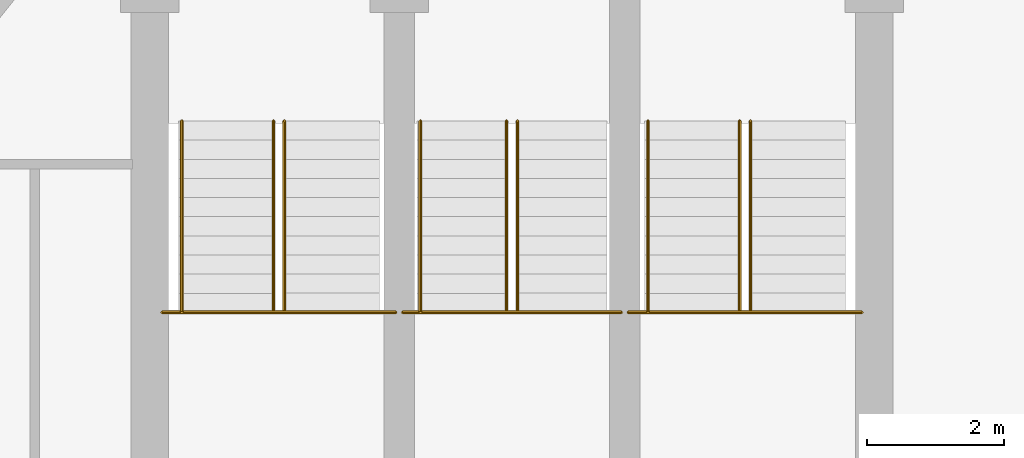
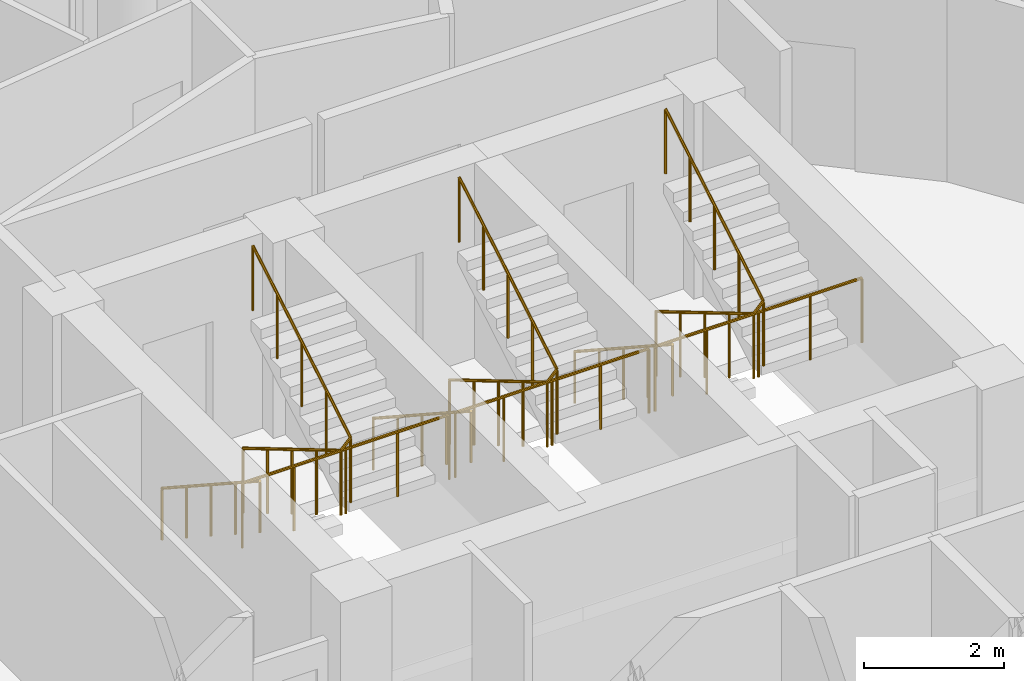
# One storey, part 27 of 27: 9 railings.
"""IFC4 building model written with IfcOpenShell, lengths in metres."""

from ifc_helpers import new_model, si_unit, direction, frame, origin, place, context, subcontext, project, spatial, polyline, outline, extrude, material, type_object, element, save


model = new_model("IFC4")

# Units and contexts
model_context = context("Model", 3, precision=1e-05, world=origin(), true_north=direction((0.0, 1.0)))
body_context = subcontext(model_context, "Body", "Model", "MODEL_VIEW")
ifc_project = project(units=[si_unit("LENGTHUNIT", "METRE"), si_unit("AREAUNIT", "SQUARE_METRE"), si_unit("VOLUMEUNIT", "CUBIC_METRE"), si_unit("PLANEANGLEUNIT", "RADIAN"), si_unit("MASSUNIT", "GRAM", prefix="KILO")], contexts=[model_context])

# Site, building, storey
site_placement = place(None, origin())
site = spatial("IfcSite", under=ifc_project, at=site_placement, CompositionType="ELEMENT")
building_placement = place(site_placement, origin())
building = spatial("IfcBuilding", under=site, at=building_placement, Name="Nuhasar Tower", CompositionType="ELEMENT")
storey_placement = place(building_placement, frame((0.0, 0.0, 248.300048828125)))
storey = spatial("IfcBuildingStorey", under=building, at=storey_placement, Name="L61", CompositionType="ELEMENT", Elevation=248.300048828125)

# Railings
ifc_material_1 = material(Name="Steel S355", Category="steel")
railing_type_1 = type_object("IfcRailingType", Name="RLG-STAIR-GUARD-1150", PredefinedType="GUARDRAIL", material=ifc_material_1)
railing_1_placement = place(storey_placement, frame((33.8798828125, 32.485107421875, 1.824951171875)))
element("IfcRailing", 1, at=railing_1_placement, inside=storey, type_object=railing_type_1, Name="L61 Stair ST-01 Guardrail LND", PredefinedType="GUARDRAIL", context=body_context, shape_type="SweptSolid", body=[
    extrude(outline(polyline([(0.024169921875, 0.0), (0.01708984375, 0.01708984375), (0.0, 0.024169921875), (-0.01708984375, 0.01708984375), (-0.024169921875, 0.0), (-0.01708984375, -0.01708984375), (0.0, -0.024169921875), (0.01708984375, -0.01708984375), (0.024169921875, 0.0)])), frame((0.0, 0.0, 1.1259765625), z_axis=(1.0, 0.0, 0.0), x_axis=(0.0, 1.0, 0.0)), (0.0, 0.0, 1.0), 3.420166015625),
    extrude(outline(polyline([(0.02099609375, 0.0), (0.014892578125, 0.014892578125), (0.0, 0.02099609375), (-0.014892578125, 0.014892578125), (-0.02099609375, 0.0), (-0.014892578125, -0.014892578125), (0.0, -0.02099609375), (0.014892578125, -0.014892578125), (0.02099609375, 0.0)])), origin(), (0.0, 0.0, 1.0), 1.101806640625),
    extrude(outline(polyline([(0.02099609375, 0.0), (0.014892578125, 0.014892578125), (0.0, 0.02099609375), (-0.014892578125, 0.014892578125), (-0.02099609375, 0.0), (-0.014892578125, -0.014892578125), (0.0, -0.02099609375), (0.014892578125, -0.014892578125), (0.02099609375, 0.0)])), frame((0.85498046875, 0.0, 0.0)), (0.0, 0.0, 1.0), 1.101806640625),
    extrude(outline(polyline([(0.02099609375, 0.0), (0.014892578125, 0.014892578125), (0.0, 0.02099609375), (-0.014892578125, 0.014892578125), (-0.02099609375, 0.0), (-0.014892578125, -0.014892578125), (0.0, -0.02099609375), (0.014892578125, -0.014892578125), (0.02099609375, 0.0)])), frame((1.7099609375, 0.0, 0.0)), (0.0, 0.0, 1.0), 1.101806640625),
    extrude(outline(polyline([(0.02099609375, 0.0), (0.014892578125, 0.014892578125), (0.0, 0.02099609375), (-0.014892578125, 0.014892578125), (-0.02099609375, 0.0), (-0.014892578125, -0.014892578125), (0.0, -0.02099609375), (0.014892578125, -0.014892578125), (0.02099609375, 0.0)])), frame((2.565185546875, 0.0, 0.0)), (0.0, 0.0, 1.0), 1.101806640625),
    extrude(outline(polyline([(0.02099609375, 0.0), (0.014892578125, 0.014892578125), (0.0, 0.02099609375), (-0.014892578125, 0.014892578125), (-0.02099609375, 0.0), (-0.014892578125, -0.014892578125), (0.0, -0.02099609375), (0.014892578125, -0.014892578125), (0.02099609375, 0.0)])), frame((3.420166015625, 0.0, 0.0)), (0.0, 0.0, 1.0), 1.101806640625),
])
railing_2_placement = place(storey_placement, frame((35.510009765625, 35.284912109375, 0.166015625)))
element("IfcRailing", 2, at=railing_2_placement, inside=storey, type_object=railing_type_1, Name="L61 Stair ST-01 Guardrail SLT", PredefinedType="GUARDRAIL", context=body_context, shape_type="SweptSolid", body=[
    extrude(outline(polyline([(0.024169921875, 0.0), (0.01708984375, 0.01708984375), (0.0, 0.024169921875), (-0.01708984375, 0.01708984375), (-0.024169921875, 0.0), (-0.01708984375, -0.01708984375), (0.0, -0.024169921875), (0.01708984375, -0.01708984375), (0.024169921875, 0.0)])), frame((0.0, 0.0, 1.1259765625), z_axis=(0.0, -0.860319559791, 0.509755093197), x_axis=(1.0, 0.0, 0.0)), (0.0, 0.0, 1.0), 3.25439453125),
    extrude(outline(polyline([(0.024169921875, 0.0), (0.01708984375, 0.01708984375), (0.0, 0.024169921875), (-0.01708984375, 0.01708984375), (-0.024169921875, 0.0), (-0.01708984375, -0.01708984375), (0.0, -0.024169921875), (0.01708984375, -0.01708984375), (0.024169921875, 0.0)])), frame((0.0, -2.7998046875, 2.78466796875), z_axis=(0.693743449033, 0.0, 0.72022220663), x_axis=(0.0, 1.0, 0.0)), (0.0, 0.0, 1.0), 0.23046875),
    extrude(outline(polyline([(0.024169921875, 0.0), (0.01708984375, 0.01708984375), (0.0, 0.024169921875), (-0.01708984375, 0.01708984375), (-0.024169921875, 0.0), (-0.01708984375, -0.01708984375), (0.0, -0.024169921875), (0.01708984375, -0.01708984375), (0.024169921875, 0.0)])), frame((0.159912109375, -2.7998046875, 2.95068359375), z_axis=(0.0, 0.860319559791, 0.509755093197), x_axis=(-1.0, 0.0, 0.0)), (0.0, 0.0, 1.0), 3.25439453125),
    extrude(outline(polyline([(0.02099609375, 0.0), (0.014892578125, 0.014892578125), (0.0, 0.02099609375), (-0.014892578125, 0.014892578125), (-0.02099609375, 0.0), (-0.014892578125, -0.014892578125), (0.0, -0.02099609375), (0.014892578125, -0.014892578125), (0.02099609375, 0.0)])), origin(), (0.0, 0.0, 1.0), 1.101806640625),
    extrude(outline(polyline([(0.02099609375, 0.0), (0.014892578125, 0.014892578125), (0.0, 0.02099609375), (-0.014892578125, 0.014892578125), (-0.02099609375, 0.0), (-0.014892578125, -0.014892578125), (0.0, -0.02099609375), (0.014892578125, -0.014892578125), (0.02099609375, 0.0)])), frame((0.0, -0.699951171875, 0.414794921875)), (0.0, 0.0, 1.0), 1.101806640625),
    extrude(outline(polyline([(0.02099609375, 0.0), (0.014892578125, 0.014892578125), (0.0, 0.02099609375), (-0.014892578125, 0.014892578125), (-0.02099609375, 0.0), (-0.014892578125, -0.014892578125), (0.0, -0.02099609375), (0.014892578125, -0.014892578125), (0.02099609375, 0.0)])), frame((0.0, -1.39990234375, 0.82958984375)), (0.0, 0.0, 1.0), 1.101806640625),
    extrude(outline(polyline([(0.02099609375, 0.0), (0.014892578125, 0.014892578125), (0.0, 0.02099609375), (-0.014892578125, 0.014892578125), (-0.02099609375, 0.0), (-0.014892578125, -0.014892578125), (0.0, -0.02099609375), (0.014892578125, -0.014892578125), (0.02099609375, 0.0)])), frame((0.0, -2.099853515625, 1.244140625)), (0.0, 0.0, 1.0), 1.101806640625),
    extrude(outline(polyline([(0.02099609375, 0.0), (0.014892578125, 0.014892578125), (0.0, 0.02099609375), (-0.014892578125, 0.014892578125), (-0.02099609375, 0.0), (-0.014892578125, -0.014892578125), (0.0, -0.02099609375), (0.014892578125, -0.014892578125), (0.02099609375, 0.0)])), frame((0.0, -2.7998046875, 1.658935546875)), (0.0, 0.0, 1.0), 1.101806640625),
    extrude(outline(polyline([(0.02099609375, 0.0), (0.014892578125, 0.014892578125), (0.0, 0.02099609375), (-0.014892578125, 0.014892578125), (-0.02099609375, 0.0), (-0.014892578125, -0.014892578125), (0.0, -0.02099609375), (0.014892578125, -0.014892578125), (0.02099609375, 0.0)])), frame((0.159912109375, -2.7998046875, 1.824951171875)), (0.0, 0.0, 1.0), 1.101806640625),
    extrude(outline(polyline([(0.02099609375, 0.0), (0.014892578125, 0.014892578125), (0.0, 0.02099609375), (-0.014892578125, 0.014892578125), (-0.02099609375, 0.0), (-0.014892578125, -0.014892578125), (0.0, -0.02099609375), (0.014892578125, -0.014892578125), (0.02099609375, 0.0)])), frame((0.159912109375, -2.099853515625, 2.23974609375)), (0.0, 0.0, 1.0), 1.101806640625),
    extrude(outline(polyline([(0.02099609375, 0.0), (0.014892578125, 0.014892578125), (0.0, 0.02099609375), (-0.014892578125, 0.014892578125), (-0.02099609375, 0.0), (-0.014892578125, -0.014892578125), (0.0, -0.02099609375), (0.014892578125, -0.014892578125), (0.02099609375, 0.0)])), frame((0.159912109375, -1.39990234375, 2.654296875)), (0.0, 0.0, 1.0), 1.101806640625),
    extrude(outline(polyline([(0.02099609375, 0.0), (0.014892578125, 0.014892578125), (0.0, 0.02099609375), (-0.014892578125, 0.014892578125), (-0.02099609375, 0.0), (-0.014892578125, -0.014892578125), (0.0, -0.02099609375), (0.014892578125, -0.014892578125), (0.02099609375, 0.0)])), frame((0.159912109375, -0.699951171875, 3.069091796875)), (0.0, 0.0, 1.0), 1.101806640625),
    extrude(outline(polyline([(0.02099609375, 0.0), (0.014892578125, 0.014892578125), (0.0, 0.02099609375), (-0.014892578125, 0.014892578125), (-0.02099609375, 0.0), (-0.014892578125, -0.014892578125), (0.0, -0.02099609375), (0.014892578125, -0.014892578125), (0.02099609375, 0.0)])), frame((0.159912109375, 0.0, 3.48388671875)), (0.0, 0.0, 1.0), 1.101806640625),
])
railing_3_placement = place(storey_placement, frame((37.39990234375, 32.485107421875, 1.824951171875)))
element("IfcRailing", 3, at=railing_3_placement, inside=storey, type_object=railing_type_1, Name="L61 Stair ST-03 Guardrail LND", PredefinedType="GUARDRAIL", context=body_context, shape_type="SweptSolid", body=[
    extrude(outline(polyline([(0.024169921875, 0.0), (0.01708984375, 0.01708984375), (0.0, 0.024169921875), (-0.01708984375, 0.01708984375), (-0.024169921875, 0.0), (-0.01708984375, -0.01708984375), (0.0, -0.024169921875), (0.01708984375, -0.01708984375), (0.024169921875, 0.0)])), frame((0.0, 0.0, 1.1259765625), z_axis=(1.0, 0.0, 0.0), x_axis=(0.0, 1.0, 0.0)), (0.0, 0.0, 1.0), 3.2001953125),
    extrude(outline(polyline([(0.02099609375, 0.0), (0.014892578125, 0.014892578125), (0.0, 0.02099609375), (-0.014892578125, 0.014892578125), (-0.02099609375, 0.0), (-0.014892578125, -0.014892578125), (0.0, -0.02099609375), (0.014892578125, -0.014892578125), (0.02099609375, 0.0)])), origin(), (0.0, 0.0, 1.0), 1.101806640625),
    extrude(outline(polyline([(0.02099609375, 0.0), (0.014892578125, 0.014892578125), (0.0, 0.02099609375), (-0.014892578125, 0.014892578125), (-0.02099609375, 0.0), (-0.014892578125, -0.014892578125), (0.0, -0.02099609375), (0.014892578125, -0.014892578125), (0.02099609375, 0.0)])), frame((0.800048828125, 0.0, 0.0)), (0.0, 0.0, 1.0), 1.101806640625),
    extrude(outline(polyline([(0.02099609375, 0.0), (0.014892578125, 0.014892578125), (0.0, 0.02099609375), (-0.014892578125, 0.014892578125), (-0.02099609375, 0.0), (-0.014892578125, -0.014892578125), (0.0, -0.02099609375), (0.014892578125, -0.014892578125), (0.02099609375, 0.0)])), frame((1.60009765625, 0.0, 0.0)), (0.0, 0.0, 1.0), 1.101806640625),
    extrude(outline(polyline([(0.02099609375, 0.0), (0.014892578125, 0.014892578125), (0.0, 0.02099609375), (-0.014892578125, 0.014892578125), (-0.02099609375, 0.0), (-0.014892578125, -0.014892578125), (0.0, -0.02099609375), (0.014892578125, -0.014892578125), (0.02099609375, 0.0)])), frame((2.400146484375, 0.0, 0.0)), (0.0, 0.0, 1.0), 1.101806640625),
    extrude(outline(polyline([(0.02099609375, 0.0), (0.014892578125, 0.014892578125), (0.0, 0.02099609375), (-0.014892578125, 0.014892578125), (-0.02099609375, 0.0), (-0.014892578125, -0.014892578125), (0.0, -0.02099609375), (0.014892578125, -0.014892578125), (0.02099609375, 0.0)])), frame((3.2001953125, 0.0, 0.0)), (0.0, 0.0, 1.0), 1.101806640625),
])
railing_4_placement = place(storey_placement, frame((38.919921875, 35.284912109375, 0.166015625)))
element("IfcRailing", 4, at=railing_4_placement, inside=storey, type_object=railing_type_1, Name="L61 Stair ST-03 Guardrail SLT", PredefinedType="GUARDRAIL", context=body_context, shape_type="SweptSolid", body=[
    extrude(outline(polyline([(0.024169921875, 0.0), (0.01708984375, 0.01708984375), (0.0, 0.024169921875), (-0.01708984375, 0.01708984375), (-0.024169921875, 0.0), (-0.01708984375, -0.01708984375), (0.0, -0.024169921875), (0.01708984375, -0.01708984375), (0.024169921875, 0.0)])), frame((0.0, 0.0, 1.1259765625), z_axis=(0.0, -0.860319559791, 0.509755093197), x_axis=(1.0, 0.0, 0.0)), (0.0, 0.0, 1.0), 3.25439453125),
    extrude(outline(polyline([(0.024169921875, 0.0), (0.01708984375, 0.01708984375), (0.0, 0.024169921875), (-0.01708984375, 0.01708984375), (-0.024169921875, 0.0), (-0.01708984375, -0.01708984375), (0.0, -0.024169921875), (0.01708984375, -0.01708984375), (0.024169921875, 0.0)])), frame((0.0, -2.7998046875, 2.78466796875), z_axis=(0.694292246407, 0.0, 0.719693182251), x_axis=(0.0, 1.0, 0.0)), (0.0, 0.0, 1.0), 0.230712890625),
    extrude(outline(polyline([(0.024169921875, 0.0), (0.01708984375, 0.01708984375), (0.0, 0.024169921875), (-0.01708984375, 0.01708984375), (-0.024169921875, 0.0), (-0.01708984375, -0.01708984375), (0.0, -0.024169921875), (0.01708984375, -0.01708984375), (0.024169921875, 0.0)])), frame((0.16015625, -2.7998046875, 2.95068359375), z_axis=(0.0, 0.860319559791, 0.509755093197), x_axis=(-1.0, 0.0, 0.0)), (0.0, 0.0, 1.0), 3.25439453125),
    extrude(outline(polyline([(0.02099609375, 0.0), (0.014892578125, 0.014892578125), (0.0, 0.02099609375), (-0.014892578125, 0.014892578125), (-0.02099609375, 0.0), (-0.014892578125, -0.014892578125), (0.0, -0.02099609375), (0.014892578125, -0.014892578125), (0.02099609375, 0.0)])), origin(), (0.0, 0.0, 1.0), 1.101806640625),
    extrude(outline(polyline([(0.02099609375, 0.0), (0.014892578125, 0.014892578125), (0.0, 0.02099609375), (-0.014892578125, 0.014892578125), (-0.02099609375, 0.0), (-0.014892578125, -0.014892578125), (0.0, -0.02099609375), (0.014892578125, -0.014892578125), (0.02099609375, 0.0)])), frame((0.0, -0.699951171875, 0.414794921875)), (0.0, 0.0, 1.0), 1.101806640625),
    extrude(outline(polyline([(0.02099609375, 0.0), (0.014892578125, 0.014892578125), (0.0, 0.02099609375), (-0.014892578125, 0.014892578125), (-0.02099609375, 0.0), (-0.014892578125, -0.014892578125), (0.0, -0.02099609375), (0.014892578125, -0.014892578125), (0.02099609375, 0.0)])), frame((0.0, -1.39990234375, 0.82958984375)), (0.0, 0.0, 1.0), 1.101806640625),
    extrude(outline(polyline([(0.02099609375, 0.0), (0.014892578125, 0.014892578125), (0.0, 0.02099609375), (-0.014892578125, 0.014892578125), (-0.02099609375, 0.0), (-0.014892578125, -0.014892578125), (0.0, -0.02099609375), (0.014892578125, -0.014892578125), (0.02099609375, 0.0)])), frame((0.0, -2.099853515625, 1.244140625)), (0.0, 0.0, 1.0), 1.101806640625),
    extrude(outline(polyline([(0.02099609375, 0.0), (0.014892578125, 0.014892578125), (0.0, 0.02099609375), (-0.014892578125, 0.014892578125), (-0.02099609375, 0.0), (-0.014892578125, -0.014892578125), (0.0, -0.02099609375), (0.014892578125, -0.014892578125), (0.02099609375, 0.0)])), frame((0.0, -2.7998046875, 1.658935546875)), (0.0, 0.0, 1.0), 1.101806640625),
    extrude(outline(polyline([(0.02099609375, 0.0), (0.014892578125, 0.014892578125), (0.0, 0.02099609375), (-0.014892578125, 0.014892578125), (-0.02099609375, 0.0), (-0.014892578125, -0.014892578125), (0.0, -0.02099609375), (0.014892578125, -0.014892578125), (0.02099609375, 0.0)])), frame((0.16015625, -2.7998046875, 1.824951171875)), (0.0, 0.0, 1.0), 1.101806640625),
    extrude(outline(polyline([(0.02099609375, 0.0), (0.014892578125, 0.014892578125), (0.0, 0.02099609375), (-0.014892578125, 0.014892578125), (-0.02099609375, 0.0), (-0.014892578125, -0.014892578125), (0.0, -0.02099609375), (0.014892578125, -0.014892578125), (0.02099609375, 0.0)])), frame((0.16015625, -2.099853515625, 2.23974609375)), (0.0, 0.0, 1.0), 1.101806640625),
    extrude(outline(polyline([(0.02099609375, 0.0), (0.014892578125, 0.014892578125), (0.0, 0.02099609375), (-0.014892578125, 0.014892578125), (-0.02099609375, 0.0), (-0.014892578125, -0.014892578125), (0.0, -0.02099609375), (0.014892578125, -0.014892578125), (0.02099609375, 0.0)])), frame((0.16015625, -1.39990234375, 2.654296875)), (0.0, 0.0, 1.0), 1.101806640625),
    extrude(outline(polyline([(0.02099609375, 0.0), (0.014892578125, 0.014892578125), (0.0, 0.02099609375), (-0.014892578125, 0.014892578125), (-0.02099609375, 0.0), (-0.014892578125, -0.014892578125), (0.0, -0.02099609375), (0.014892578125, -0.014892578125), (0.02099609375, 0.0)])), frame((0.16015625, -0.699951171875, 3.069091796875)), (0.0, 0.0, 1.0), 1.101806640625),
    extrude(outline(polyline([(0.02099609375, 0.0), (0.014892578125, 0.014892578125), (0.0, 0.02099609375), (-0.014892578125, 0.014892578125), (-0.02099609375, 0.0), (-0.014892578125, -0.014892578125), (0.0, -0.02099609375), (0.014892578125, -0.014892578125), (0.02099609375, 0.0)])), frame((0.16015625, 0.0, 3.48388671875)), (0.0, 0.0, 1.0), 1.101806640625),
])
railing_5_placement = place(storey_placement, frame((40.699951171875, 32.485107421875, 1.824951171875)))
element("IfcRailing", 5, at=railing_5_placement, inside=storey, type_object=railing_type_1, Name="L61 Stair ST-02 Guardrail LND", PredefinedType="GUARDRAIL", context=body_context, shape_type="SweptSolid", body=[
    extrude(outline(polyline([(0.024169921875, 0.0), (0.01708984375, 0.01708984375), (0.0, 0.024169921875), (-0.01708984375, 0.01708984375), (-0.024169921875, 0.0), (-0.01708984375, -0.01708984375), (0.0, -0.024169921875), (0.01708984375, -0.01708984375), (0.024169921875, 0.0)])), frame((0.0, 0.0, 1.1259765625), z_axis=(1.0, 0.0, 0.0), x_axis=(0.0, 1.0, 0.0)), (0.0, 0.0, 1.0), 3.420166015625),
    extrude(outline(polyline([(0.02099609375, 0.0), (0.014892578125, 0.014892578125), (0.0, 0.02099609375), (-0.014892578125, 0.014892578125), (-0.02099609375, 0.0), (-0.014892578125, -0.014892578125), (0.0, -0.02099609375), (0.014892578125, -0.014892578125), (0.02099609375, 0.0)])), origin(), (0.0, 0.0, 1.0), 1.101806640625),
    extrude(outline(polyline([(0.02099609375, 0.0), (0.014892578125, 0.014892578125), (0.0, 0.02099609375), (-0.014892578125, 0.014892578125), (-0.02099609375, 0.0), (-0.014892578125, -0.014892578125), (0.0, -0.02099609375), (0.014892578125, -0.014892578125), (0.02099609375, 0.0)])), frame((0.85498046875, 0.0, 0.0)), (0.0, 0.0, 1.0), 1.101806640625),
    extrude(outline(polyline([(0.02099609375, 0.0), (0.014892578125, 0.014892578125), (0.0, 0.02099609375), (-0.014892578125, 0.014892578125), (-0.02099609375, 0.0), (-0.014892578125, -0.014892578125), (0.0, -0.02099609375), (0.014892578125, -0.014892578125), (0.02099609375, 0.0)])), frame((1.7099609375, 0.0, 0.0)), (0.0, 0.0, 1.0), 1.101806640625),
    extrude(outline(polyline([(0.02099609375, 0.0), (0.014892578125, 0.014892578125), (0.0, 0.02099609375), (-0.014892578125, 0.014892578125), (-0.02099609375, 0.0), (-0.014892578125, -0.014892578125), (0.0, -0.02099609375), (0.014892578125, -0.014892578125), (0.02099609375, 0.0)])), frame((2.565185546875, 0.0, 0.0)), (0.0, 0.0, 1.0), 1.101806640625),
    extrude(outline(polyline([(0.02099609375, 0.0), (0.014892578125, 0.014892578125), (0.0, 0.02099609375), (-0.014892578125, 0.014892578125), (-0.02099609375, 0.0), (-0.014892578125, -0.014892578125), (0.0, -0.02099609375), (0.014892578125, -0.014892578125), (0.02099609375, 0.0)])), frame((3.420166015625, 0.0, 0.0)), (0.0, 0.0, 1.0), 1.101806640625),
])
railing_6_placement = place(storey_placement, frame((42.330078125, 35.284912109375, 0.166015625)))
element("IfcRailing", 6, at=railing_6_placement, inside=storey, type_object=railing_type_1, Name="L61 Stair ST-02 Guardrail SLT", PredefinedType="GUARDRAIL", context=body_context, shape_type="SweptSolid", body=[
    extrude(outline(polyline([(0.024169921875, 0.0), (0.01708984375, 0.01708984375), (0.0, 0.024169921875), (-0.01708984375, 0.01708984375), (-0.024169921875, 0.0), (-0.01708984375, -0.01708984375), (0.0, -0.024169921875), (0.01708984375, -0.01708984375), (0.024169921875, 0.0)])), frame((0.0, 0.0, 1.1259765625), z_axis=(0.0, -0.860319559791, 0.509755093197), x_axis=(1.0, 0.0, 0.0)), (0.0, 0.0, 1.0), 3.25439453125),
    extrude(outline(polyline([(0.024169921875, 0.0), (0.01708984375, 0.01708984375), (0.0, 0.024169921875), (-0.01708984375, 0.01708984375), (-0.024169921875, 0.0), (-0.01708984375, -0.01708984375), (0.0, -0.024169921875), (0.01708984375, -0.01708984375), (0.024169921875, 0.0)])), frame((0.0, -2.7998046875, 2.78466796875), z_axis=(0.693743449033, 0.0, 0.72022220663), x_axis=(0.0, 1.0, 0.0)), (0.0, 0.0, 1.0), 0.23046875),
    extrude(outline(polyline([(0.024169921875, 0.0), (0.01708984375, 0.01708984375), (0.0, 0.024169921875), (-0.01708984375, 0.01708984375), (-0.024169921875, 0.0), (-0.01708984375, -0.01708984375), (0.0, -0.024169921875), (0.01708984375, -0.01708984375), (0.024169921875, 0.0)])), frame((0.159912109375, -2.7998046875, 2.95068359375), z_axis=(0.0, 0.860319559791, 0.509755093197), x_axis=(-1.0, 0.0, 0.0)), (0.0, 0.0, 1.0), 3.25439453125),
    extrude(outline(polyline([(0.02099609375, 0.0), (0.014892578125, 0.014892578125), (0.0, 0.02099609375), (-0.014892578125, 0.014892578125), (-0.02099609375, 0.0), (-0.014892578125, -0.014892578125), (0.0, -0.02099609375), (0.014892578125, -0.014892578125), (0.02099609375, 0.0)])), origin(), (0.0, 0.0, 1.0), 1.101806640625),
    extrude(outline(polyline([(0.02099609375, 0.0), (0.014892578125, 0.014892578125), (0.0, 0.02099609375), (-0.014892578125, 0.014892578125), (-0.02099609375, 0.0), (-0.014892578125, -0.014892578125), (0.0, -0.02099609375), (0.014892578125, -0.014892578125), (0.02099609375, 0.0)])), frame((0.0, -0.699951171875, 0.414794921875)), (0.0, 0.0, 1.0), 1.101806640625),
    extrude(outline(polyline([(0.02099609375, 0.0), (0.014892578125, 0.014892578125), (0.0, 0.02099609375), (-0.014892578125, 0.014892578125), (-0.02099609375, 0.0), (-0.014892578125, -0.014892578125), (0.0, -0.02099609375), (0.014892578125, -0.014892578125), (0.02099609375, 0.0)])), frame((0.0, -1.39990234375, 0.82958984375)), (0.0, 0.0, 1.0), 1.101806640625),
    extrude(outline(polyline([(0.02099609375, 0.0), (0.014892578125, 0.014892578125), (0.0, 0.02099609375), (-0.014892578125, 0.014892578125), (-0.02099609375, 0.0), (-0.014892578125, -0.014892578125), (0.0, -0.02099609375), (0.014892578125, -0.014892578125), (0.02099609375, 0.0)])), frame((0.0, -2.099853515625, 1.244140625)), (0.0, 0.0, 1.0), 1.101806640625),
    extrude(outline(polyline([(0.02099609375, 0.0), (0.014892578125, 0.014892578125), (0.0, 0.02099609375), (-0.014892578125, 0.014892578125), (-0.02099609375, 0.0), (-0.014892578125, -0.014892578125), (0.0, -0.02099609375), (0.014892578125, -0.014892578125), (0.02099609375, 0.0)])), frame((0.0, -2.7998046875, 1.658935546875)), (0.0, 0.0, 1.0), 1.101806640625),
    extrude(outline(polyline([(0.02099609375, 0.0), (0.014892578125, 0.014892578125), (0.0, 0.02099609375), (-0.014892578125, 0.014892578125), (-0.02099609375, 0.0), (-0.014892578125, -0.014892578125), (0.0, -0.02099609375), (0.014892578125, -0.014892578125), (0.02099609375, 0.0)])), frame((0.159912109375, -2.7998046875, 1.824951171875)), (0.0, 0.0, 1.0), 1.101806640625),
    extrude(outline(polyline([(0.02099609375, 0.0), (0.014892578125, 0.014892578125), (0.0, 0.02099609375), (-0.014892578125, 0.014892578125), (-0.02099609375, 0.0), (-0.014892578125, -0.014892578125), (0.0, -0.02099609375), (0.014892578125, -0.014892578125), (0.02099609375, 0.0)])), frame((0.159912109375, -2.099853515625, 2.23974609375)), (0.0, 0.0, 1.0), 1.101806640625),
    extrude(outline(polyline([(0.02099609375, 0.0), (0.014892578125, 0.014892578125), (0.0, 0.02099609375), (-0.014892578125, 0.014892578125), (-0.02099609375, 0.0), (-0.014892578125, -0.014892578125), (0.0, -0.02099609375), (0.014892578125, -0.014892578125), (0.02099609375, 0.0)])), frame((0.159912109375, -1.39990234375, 2.654296875)), (0.0, 0.0, 1.0), 1.101806640625),
    extrude(outline(polyline([(0.02099609375, 0.0), (0.014892578125, 0.014892578125), (0.0, 0.02099609375), (-0.014892578125, 0.014892578125), (-0.02099609375, 0.0), (-0.014892578125, -0.014892578125), (0.0, -0.02099609375), (0.014892578125, -0.014892578125), (0.02099609375, 0.0)])), frame((0.159912109375, -0.699951171875, 3.069091796875)), (0.0, 0.0, 1.0), 1.101806640625),
    extrude(outline(polyline([(0.02099609375, 0.0), (0.014892578125, 0.014892578125), (0.0, 0.02099609375), (-0.014892578125, 0.014892578125), (-0.02099609375, 0.0), (-0.014892578125, -0.014892578125), (0.0, -0.02099609375), (0.014892578125, -0.014892578125), (0.02099609375, 0.0)])), frame((0.159912109375, 0.0, 3.48388671875)), (0.0, 0.0, 1.0), 1.101806640625),
])
ifc_material_2 = material(Name="Stainless Steel 316L", Category="steel")
railing_type_2 = type_object("IfcRailingType", Name="RLG-STAIR-HAND-920", PredefinedType="HANDRAIL", material=ifc_material_2)
railing_7_placement = place(storey_placement, frame((34.169921875, 35.284912109375, 0.166015625)))
element("IfcRailing", 7, at=railing_7_placement, inside=storey, type_object=railing_type_2, Name="L61 Stair ST-01 Handrail HND1", PredefinedType="HANDRAIL", context=body_context, shape_type="SweptSolid", body=[
    extrude(outline(polyline([(0.024169921875, 0.0), (0.01708984375, 0.01708984375), (0.0, 0.024169921875), (-0.01708984375, 0.01708984375), (-0.024169921875, 0.0), (-0.01708984375, -0.01708984375), (0.0, -0.024169921875), (0.01708984375, -0.01708984375), (0.024169921875, 0.0)])), frame((0.0, 0.0, 0.89599609375), z_axis=(0.0, -0.837748630625, 0.546056070276), x_axis=(1.0, 0.0, 0.0)), (0.0, 0.0, 1.0), 3.342041015625),
    extrude(outline(polyline([(0.02099609375, 0.0), (0.014892578125, 0.014892578125), (0.0, 0.02099609375), (-0.014892578125, 0.014892578125), (-0.02099609375, 0.0), (-0.014892578125, -0.014892578125), (0.0, -0.02099609375), (0.014892578125, -0.014892578125), (0.02099609375, 0.0)])), origin(), (0.0, 0.0, 1.0), 0.871826171875),
    extrude(outline(polyline([(0.02099609375, 0.0), (0.014892578125, 0.014892578125), (0.0, 0.02099609375), (-0.014892578125, 0.014892578125), (-0.02099609375, 0.0), (-0.014892578125, -0.014892578125), (0.0, -0.02099609375), (0.014892578125, -0.014892578125), (0.02099609375, 0.0)])), frame((0.0, -0.699951171875, 0.456298828125)), (0.0, 0.0, 1.0), 0.871826171875),
    extrude(outline(polyline([(0.02099609375, 0.0), (0.014892578125, 0.014892578125), (0.0, 0.02099609375), (-0.014892578125, 0.014892578125), (-0.02099609375, 0.0), (-0.014892578125, -0.014892578125), (0.0, -0.02099609375), (0.014892578125, -0.014892578125), (0.02099609375, 0.0)])), frame((0.0, -1.39990234375, 0.91259765625)), (0.0, 0.0, 1.0), 0.871826171875),
    extrude(outline(polyline([(0.02099609375, 0.0), (0.014892578125, 0.014892578125), (0.0, 0.02099609375), (-0.014892578125, 0.014892578125), (-0.02099609375, 0.0), (-0.014892578125, -0.014892578125), (0.0, -0.02099609375), (0.014892578125, -0.014892578125), (0.02099609375, 0.0)])), frame((0.0, -2.099853515625, 1.36865234375)), (0.0, 0.0, 1.0), 0.871826171875),
    extrude(outline(polyline([(0.02099609375, 0.0), (0.014892578125, 0.014892578125), (0.0, 0.02099609375), (-0.014892578125, 0.014892578125), (-0.02099609375, 0.0), (-0.014892578125, -0.014892578125), (0.0, -0.02099609375), (0.014892578125, -0.014892578125), (0.02099609375, 0.0)])), frame((0.0, -2.7998046875, 1.824951171875)), (0.0, 0.0, 1.0), 0.871826171875),
])
railing_8_placement = place(storey_placement, frame((37.659912109375, 35.284912109375, 0.166015625)))
element("IfcRailing", 8, at=railing_8_placement, inside=storey, type_object=railing_type_2, Name="L61 Stair ST-03 Handrail HND1", PredefinedType="HANDRAIL", context=body_context, shape_type="SweptSolid", body=[
    extrude(outline(polyline([(0.024169921875, 0.0), (0.01708984375, 0.01708984375), (0.0, 0.024169921875), (-0.01708984375, 0.01708984375), (-0.024169921875, 0.0), (-0.01708984375, -0.01708984375), (0.0, -0.024169921875), (0.01708984375, -0.01708984375), (0.024169921875, 0.0)])), frame((0.0, 0.0, 0.89599609375), z_axis=(0.0, -0.837748630625, 0.546056070276), x_axis=(1.0, 0.0, 0.0)), (0.0, 0.0, 1.0), 3.342041015625),
    extrude(outline(polyline([(0.02099609375, 0.0), (0.014892578125, 0.014892578125), (0.0, 0.02099609375), (-0.014892578125, 0.014892578125), (-0.02099609375, 0.0), (-0.014892578125, -0.014892578125), (0.0, -0.02099609375), (0.014892578125, -0.014892578125), (0.02099609375, 0.0)])), origin(), (0.0, 0.0, 1.0), 0.871826171875),
    extrude(outline(polyline([(0.02099609375, 0.0), (0.014892578125, 0.014892578125), (0.0, 0.02099609375), (-0.014892578125, 0.014892578125), (-0.02099609375, 0.0), (-0.014892578125, -0.014892578125), (0.0, -0.02099609375), (0.014892578125, -0.014892578125), (0.02099609375, 0.0)])), frame((0.0, -0.699951171875, 0.456298828125)), (0.0, 0.0, 1.0), 0.871826171875),
    extrude(outline(polyline([(0.02099609375, 0.0), (0.014892578125, 0.014892578125), (0.0, 0.02099609375), (-0.014892578125, 0.014892578125), (-0.02099609375, 0.0), (-0.014892578125, -0.014892578125), (0.0, -0.02099609375), (0.014892578125, -0.014892578125), (0.02099609375, 0.0)])), frame((0.0, -1.39990234375, 0.91259765625)), (0.0, 0.0, 1.0), 0.871826171875),
    extrude(outline(polyline([(0.02099609375, 0.0), (0.014892578125, 0.014892578125), (0.0, 0.02099609375), (-0.014892578125, 0.014892578125), (-0.02099609375, 0.0), (-0.014892578125, -0.014892578125), (0.0, -0.02099609375), (0.014892578125, -0.014892578125), (0.02099609375, 0.0)])), frame((0.0, -2.099853515625, 1.36865234375)), (0.0, 0.0, 1.0), 0.871826171875),
    extrude(outline(polyline([(0.02099609375, 0.0), (0.014892578125, 0.014892578125), (0.0, 0.02099609375), (-0.014892578125, 0.014892578125), (-0.02099609375, 0.0), (-0.014892578125, -0.014892578125), (0.0, -0.02099609375), (0.014892578125, -0.014892578125), (0.02099609375, 0.0)])), frame((0.0, -2.7998046875, 1.824951171875)), (0.0, 0.0, 1.0), 0.871826171875),
])
railing_9_placement = place(storey_placement, frame((40.989990234375, 35.284912109375, 0.166015625)))
element("IfcRailing", 9, at=railing_9_placement, inside=storey, type_object=railing_type_2, Name="L61 Stair ST-02 Handrail HND1", PredefinedType="HANDRAIL", context=body_context, shape_type="SweptSolid", body=[
    extrude(outline(polyline([(0.024169921875, 0.0), (0.01708984375, 0.01708984375), (0.0, 0.024169921875), (-0.01708984375, 0.01708984375), (-0.024169921875, 0.0), (-0.01708984375, -0.01708984375), (0.0, -0.024169921875), (0.01708984375, -0.01708984375), (0.024169921875, 0.0)])), frame((0.0, 0.0, 0.89599609375), z_axis=(0.0, -0.837748630625, 0.546056070276), x_axis=(1.0, 0.0, 0.0)), (0.0, 0.0, 1.0), 3.342041015625),
    extrude(outline(polyline([(0.02099609375, 0.0), (0.014892578125, 0.014892578125), (0.0, 0.02099609375), (-0.014892578125, 0.014892578125), (-0.02099609375, 0.0), (-0.014892578125, -0.014892578125), (0.0, -0.02099609375), (0.014892578125, -0.014892578125), (0.02099609375, 0.0)])), origin(), (0.0, 0.0, 1.0), 0.871826171875),
    extrude(outline(polyline([(0.02099609375, 0.0), (0.014892578125, 0.014892578125), (0.0, 0.02099609375), (-0.014892578125, 0.014892578125), (-0.02099609375, 0.0), (-0.014892578125, -0.014892578125), (0.0, -0.02099609375), (0.014892578125, -0.014892578125), (0.02099609375, 0.0)])), frame((0.0, -0.699951171875, 0.456298828125)), (0.0, 0.0, 1.0), 0.871826171875),
    extrude(outline(polyline([(0.02099609375, 0.0), (0.014892578125, 0.014892578125), (0.0, 0.02099609375), (-0.014892578125, 0.014892578125), (-0.02099609375, 0.0), (-0.014892578125, -0.014892578125), (0.0, -0.02099609375), (0.014892578125, -0.014892578125), (0.02099609375, 0.0)])), frame((0.0, -1.39990234375, 0.91259765625)), (0.0, 0.0, 1.0), 0.871826171875),
    extrude(outline(polyline([(0.02099609375, 0.0), (0.014892578125, 0.014892578125), (0.0, 0.02099609375), (-0.014892578125, 0.014892578125), (-0.02099609375, 0.0), (-0.014892578125, -0.014892578125), (0.0, -0.02099609375), (0.014892578125, -0.014892578125), (0.02099609375, 0.0)])), frame((0.0, -2.099853515625, 1.36865234375)), (0.0, 0.0, 1.0), 0.871826171875),
    extrude(outline(polyline([(0.02099609375, 0.0), (0.014892578125, 0.014892578125), (0.0, 0.02099609375), (-0.014892578125, 0.014892578125), (-0.02099609375, 0.0), (-0.014892578125, -0.014892578125), (0.0, -0.02099609375), (0.014892578125, -0.014892578125), (0.02099609375, 0.0)])), frame((0.0, -2.7998046875, 1.824951171875)), (0.0, 0.0, 1.0), 0.871826171875),
])

save(model, "model.ifc")
